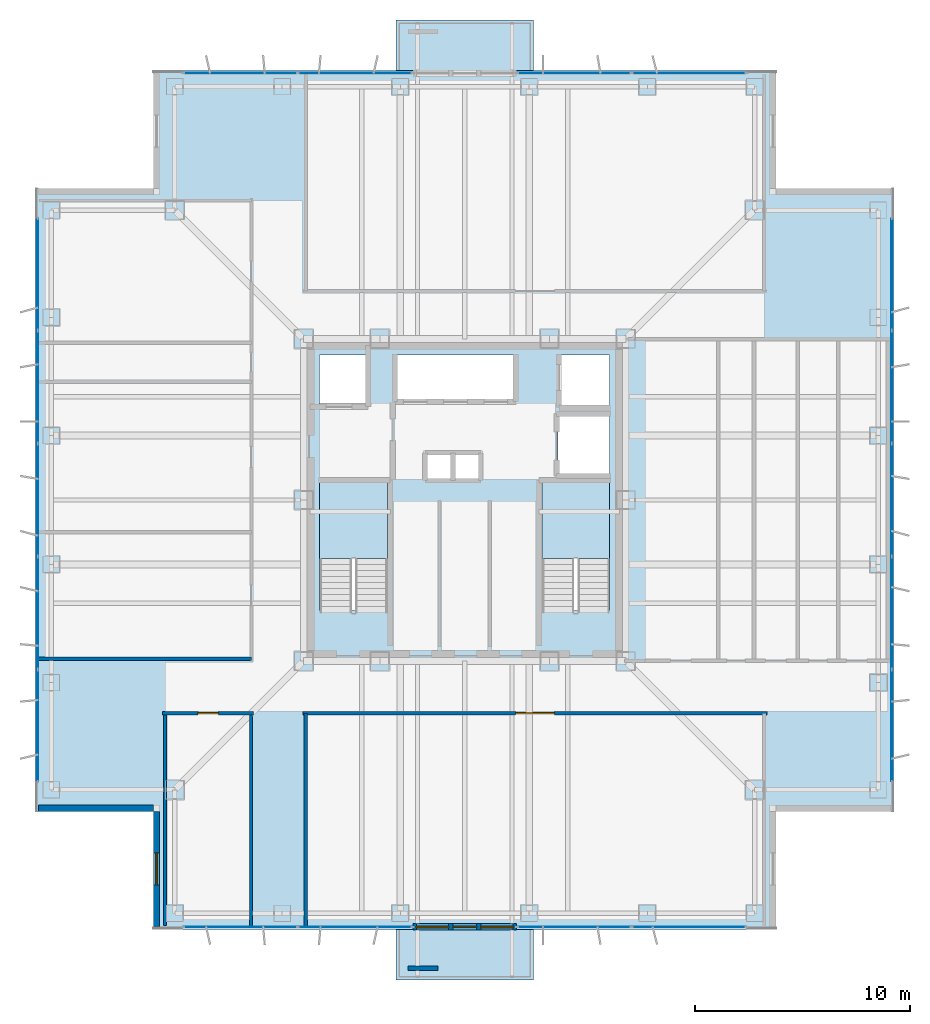
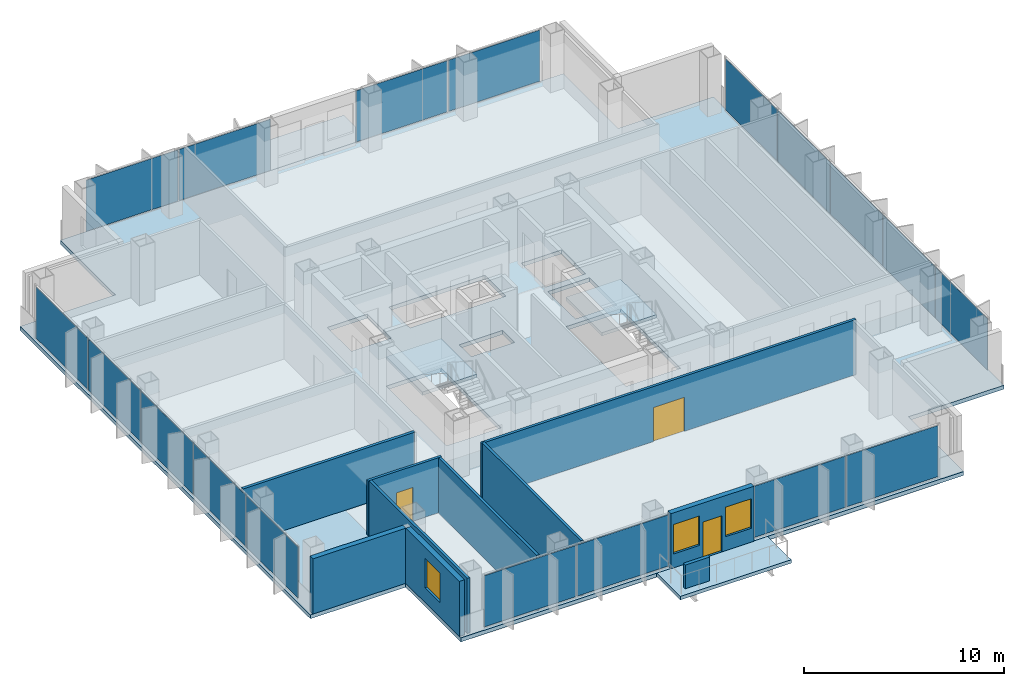
# One storey, part 8 of 13: 18 plates, 10 walls, 5 slabs, 3 doors, 3 windows, 6 openings, 8 elements without a shape of their own.
"""IFC4 building model written with IfcOpenShell, lengths in metres."""

from ifc_helpers import new_model, si_unit, direction, frame, frame_2d, origin, origin_2d, place, context, subcontext, project, spatial, polyline, rectangle, outline, extrude, material, layer, layer_set, type_object, element, fill, aggregate, save


model = new_model("IFC4")

# Units and contexts
model_context = context("Model", 3, precision=1e-05, world=origin(), true_north=direction((0.0, 1.0)))
body_context = subcontext(model_context, "Body", "Model", "MODEL_VIEW")
ifc_project = project(units=[si_unit("LENGTHUNIT", "METRE"), si_unit("AREAUNIT", "SQUARE_METRE"), si_unit("VOLUMEUNIT", "CUBIC_METRE"), si_unit("PLANEANGLEUNIT", "RADIAN"), si_unit("MASSUNIT", "GRAM", prefix="KILO")], contexts=[model_context])

# Site, building, storey
site_placement = place(None, origin())
site = spatial("IfcSite", under=ifc_project, at=site_placement, CompositionType="ELEMENT")
building_placement = place(site_placement, origin())
building = spatial("IfcBuilding", under=site, at=building_placement, Name="Trevonay Congress Spire", CompositionType="ELEMENT")
storey_placement = place(building_placement, frame((0.0, 0.0, 205.800048828125)))
storey = spatial("IfcBuildingStorey", under=building, at=storey_placement, Name="L53", CompositionType="ELEMENT", Elevation=205.800048828125)

# Curtain wall, plates
ifc_material_1 = material(Name="Pale Anodised Aluminium EN AW-6063-T6", Category="aluminium")
ifc_layer_1 = layer(ifc_material_1, 0.169921875, Name="Pale Anodised Aluminium EN AW-6063-T6")
ifc_layer_set_1 = layer_set([ifc_layer_1], Name="Pale Anodised Aluminium EN AW-6063-T6")
curtain_wall_type = type_object("IfcCurtainWallType", Name="CW-SYS04-CORP-PALE-METAL", PredefinedType="NOTDEFINED", material=ifc_layer_set_1)
curtain_wall_1_placement = place(storey_placement, origin())
curtain_wall_1 = element("IfcCurtainWall", 1, at=curtain_wall_1_placement, inside=storey, type_object=curtain_wall_type, Name="L53 SA unitised curtain wall", PredefinedType="NOTDEFINED")
ifc_material_2 = material(Name="Insulated Low-E Vision Glass IGU", Category="glass")
ifc_layer_2 = layer(ifc_material_2, 0.035888671875, Name="Insulated Low-E Vision Glass IGU")
ifc_layer_set_2 = layer_set([ifc_layer_2], Name="Insulated Low-E Vision Glass IGU")
plate_type = type_object("IfcPlateType", Name="CW-PANEL-IGU36-SILVER", PredefinedType="CURTAIN_PANEL", material=ifc_layer_set_2)
plate_1_placement = place(storey_placement, frame((-10.447509765625, -19.8798828125, 0.119873046875), z_axis=(0.0, 0.0, 1.0), x_axis=(1.0, 0.0, 0.0)))
plate_1 = element("IfcPlate", 2, at=plate_1_placement, type_object=plate_type, Name="CW04 panel 1.1", PredefinedType="CURTAIN_PANEL", context=body_context, shape_type="SweptSolid", body=[
    extrude(rectangle(XDim=5.284912109375, YDim=0.035888671875, at=origin_2d()), origin(), (0.0, 0.0, 1.0), 3.1201171875),
])
plate_2_placement = place(storey_placement, frame((-5.1025390625, -19.8798828125, 0.119873046875), z_axis=(0.0, 0.0, 1.0), x_axis=(1.0, 0.0, 0.0)))
plate_2 = element("IfcPlate", 3, at=plate_2_placement, type_object=plate_type, Name="CW04 panel 2.1", PredefinedType="CURTAIN_PANEL", context=body_context, shape_type="SweptSolid", body=[
    extrude(rectangle(XDim=5.284912109375, YDim=0.035888671875, at=origin_2d()), origin(), (0.0, 0.0, 1.0), 3.1201171875),
])
aggregate(curtain_wall_1, [plate_1, plate_2])

curtain_wall_2_placement = place(storey_placement, origin())
curtain_wall_2 = element("IfcCurtainWall", 4, at=curtain_wall_2_placement, inside=storey, type_object=curtain_wall_type, Name="L53 SB unitised curtain wall", PredefinedType="NOTDEFINED")
plate_3_placement = place(storey_placement, frame((5.1025390625, -19.8798828125, 0.119873046875), z_axis=(0.0, 0.0, 1.0), x_axis=(1.0, 0.0, 0.0)))
plate_3 = element("IfcPlate", 5, at=plate_3_placement, type_object=plate_type, Name="CW04 panel 1.1", PredefinedType="CURTAIN_PANEL", context=body_context, shape_type="SweptSolid", body=[
    extrude(rectangle(XDim=5.284912109375, YDim=0.035888671875, at=origin_2d()), origin(), (0.0, 0.0, 1.0), 3.1201171875),
])
plate_4_placement = place(storey_placement, frame((10.447509765625, -19.8798828125, 0.119873046875), z_axis=(0.0, 0.0, 1.0), x_axis=(1.0, 0.0, 0.0)))
plate_4 = element("IfcPlate", 6, at=plate_4_placement, type_object=plate_type, Name="CW04 panel 2.1", PredefinedType="CURTAIN_PANEL", context=body_context, shape_type="SweptSolid", body=[
    extrude(rectangle(XDim=5.284912109375, YDim=0.035888671875, at=origin_2d()), origin(), (0.0, 0.0, 1.0), 3.1201171875),
])
aggregate(curtain_wall_2, [plate_3, plate_4])

curtain_wall_3_placement = place(storey_placement, origin())
curtain_wall_3 = element("IfcCurtainWall", 7, at=curtain_wall_3_placement, inside=storey, type_object=curtain_wall_type, Name="L53 NA unitised curtain wall", PredefinedType="NOTDEFINED")
plate_5_placement = place(storey_placement, frame((-10.447509765625, 19.8798828125, 0.119873046875), z_axis=(0.0, 0.0, 1.0), x_axis=(1.0, 0.0, 0.0)))
plate_5 = element("IfcPlate", 8, at=plate_5_placement, type_object=plate_type, Name="CW04 panel 1.1", PredefinedType="CURTAIN_PANEL", context=body_context, shape_type="SweptSolid", body=[
    extrude(rectangle(XDim=5.284912109375, YDim=0.035888671875, at=origin_2d()), origin(), (0.0, 0.0, 1.0), 3.1201171875),
])
plate_6_placement = place(storey_placement, frame((-5.1025390625, 19.8798828125, 0.119873046875), z_axis=(0.0, 0.0, 1.0), x_axis=(1.0, 0.0, 0.0)))
plate_6 = element("IfcPlate", 9, at=plate_6_placement, type_object=plate_type, Name="CW04 panel 2.1", PredefinedType="CURTAIN_PANEL", context=body_context, shape_type="SweptSolid", body=[
    extrude(rectangle(XDim=5.284912109375, YDim=0.035888671875, at=origin_2d()), origin(), (0.0, 0.0, 1.0), 3.1201171875),
])
aggregate(curtain_wall_3, [plate_5, plate_6])

curtain_wall_4_placement = place(storey_placement, origin())
curtain_wall_4 = element("IfcCurtainWall", 10, at=curtain_wall_4_placement, inside=storey, type_object=curtain_wall_type, Name="L53 NB unitised curtain wall", PredefinedType="NOTDEFINED")
plate_7_placement = place(storey_placement, frame((5.1025390625, 19.8798828125, 0.119873046875), z_axis=(0.0, 0.0, 1.0), x_axis=(1.0, 0.0, 0.0)))
plate_7 = element("IfcPlate", 11, at=plate_7_placement, type_object=plate_type, Name="CW04 panel 1.1", PredefinedType="CURTAIN_PANEL", context=body_context, shape_type="SweptSolid", body=[
    extrude(rectangle(XDim=5.284912109375, YDim=0.035888671875, at=origin_2d()), origin(), (0.0, 0.0, 1.0), 3.1201171875),
])
plate_8_placement = place(storey_placement, frame((10.447509765625, 19.8798828125, 0.119873046875), z_axis=(0.0, 0.0, 1.0), x_axis=(1.0, 0.0, 0.0)))
plate_8 = element("IfcPlate", 12, at=plate_8_placement, type_object=plate_type, Name="CW04 panel 2.1", PredefinedType="CURTAIN_PANEL", context=body_context, shape_type="SweptSolid", body=[
    extrude(rectangle(XDim=5.284912109375, YDim=0.035888671875, at=origin_2d()), origin(), (0.0, 0.0, 1.0), 3.1201171875),
])
aggregate(curtain_wall_4, [plate_7, plate_8])

curtain_wall_5_placement = place(storey_placement, origin())
curtain_wall_5 = element("IfcCurtainWall", 13, at=curtain_wall_5_placement, inside=storey, type_object=curtain_wall_type, Name="L53 W unitised curtain wall", PredefinedType="NOTDEFINED")
plate_9_placement = place(storey_placement, frame((-19.8798828125, -10.5048828125, 0.119873046875), z_axis=(0.0, 0.0, 1.0), x_axis=(0.0, 1.0, 0.0)))
plate_9 = element("IfcPlate", 14, at=plate_9_placement, type_object=plate_type, Name="CW04 panel 1.1", PredefinedType="CURTAIN_PANEL", context=body_context, shape_type="SweptSolid", body=[
    extrude(rectangle(XDim=5.169921875, YDim=0.035888671875, at=origin_2d()), origin(), (0.0, 0.0, 1.0), 3.1201171875),
])
plate_10_placement = place(storey_placement, frame((-19.8798828125, -5.260009765625, 0.119873046875), z_axis=(0.0, 0.0, 1.0), x_axis=(0.0, 1.0, 0.0)))
plate_10 = element("IfcPlate", 15, at=plate_10_placement, type_object=plate_type, Name="CW04 panel 2.1", PredefinedType="CURTAIN_PANEL", context=body_context, shape_type="SweptSolid", body=[
    extrude(rectangle(XDim=5.199951171875, YDim=0.035888671875, at=origin_2d()), origin(), (0.0, 0.0, 1.0), 3.1201171875),
])
plate_11_placement = place(storey_placement, frame((-19.8798828125, 0.0, 0.119873046875), z_axis=(0.0, 0.0, 1.0), x_axis=(0.0, 1.0, 0.0)))
plate_11 = element("IfcPlate", 16, at=plate_11_placement, type_object=plate_type, Name="CW04 panel 3.1", PredefinedType="CURTAIN_PANEL", context=body_context, shape_type="SweptSolid", body=[
    extrude(rectangle(XDim=5.199951171875, YDim=0.035888671875, at=origin_2d()), origin(), (0.0, 0.0, 1.0), 3.1201171875),
])
plate_12_placement = place(storey_placement, frame((-19.8798828125, 5.260009765625, 0.119873046875), z_axis=(0.0, 0.0, 1.0), x_axis=(0.0, 1.0, 0.0)))
plate_12 = element("IfcPlate", 17, at=plate_12_placement, type_object=plate_type, Name="CW04 panel 4.1", PredefinedType="CURTAIN_PANEL", context=body_context, shape_type="SweptSolid", body=[
    extrude(rectangle(XDim=5.199951171875, YDim=0.035888671875, at=origin_2d()), origin(), (0.0, 0.0, 1.0), 3.1201171875),
])
plate_13_placement = place(storey_placement, frame((-19.8798828125, 10.5048828125, 0.119873046875), z_axis=(0.0, 0.0, 1.0), x_axis=(0.0, 1.0, 0.0)))
plate_13 = element("IfcPlate", 18, at=plate_13_placement, type_object=plate_type, Name="CW04 panel 5.1", PredefinedType="CURTAIN_PANEL", context=body_context, shape_type="SweptSolid", body=[
    extrude(rectangle(XDim=5.169921875, YDim=0.035888671875, at=origin_2d()), origin(), (0.0, 0.0, 1.0), 3.1201171875),
])
aggregate(curtain_wall_5, [plate_9, plate_10, plate_11, plate_12, plate_13])

curtain_wall_6_placement = place(storey_placement, origin())
curtain_wall_6 = element("IfcCurtainWall", 19, at=curtain_wall_6_placement, inside=storey, type_object=curtain_wall_type, Name="L53 E unitised curtain wall", PredefinedType="NOTDEFINED")
plate_14_placement = place(storey_placement, frame((19.8798828125, -10.5048828125, 0.119873046875), z_axis=(0.0, 0.0, 1.0), x_axis=(0.0, 1.0, 0.0)))
plate_14 = element("IfcPlate", 20, at=plate_14_placement, type_object=plate_type, Name="CW04 panel 1.1", PredefinedType="CURTAIN_PANEL", context=body_context, shape_type="SweptSolid", body=[
    extrude(rectangle(XDim=5.169921875, YDim=0.035888671875, at=origin_2d()), origin(), (0.0, 0.0, 1.0), 3.1201171875),
])
plate_15_placement = place(storey_placement, frame((19.8798828125, -5.260009765625, 0.119873046875), z_axis=(0.0, 0.0, 1.0), x_axis=(0.0, 1.0, 0.0)))
plate_15 = element("IfcPlate", 21, at=plate_15_placement, type_object=plate_type, Name="CW04 panel 2.1", PredefinedType="CURTAIN_PANEL", context=body_context, shape_type="SweptSolid", body=[
    extrude(rectangle(XDim=5.199951171875, YDim=0.035888671875, at=origin_2d()), origin(), (0.0, 0.0, 1.0), 3.1201171875),
])
plate_16_placement = place(storey_placement, frame((19.8798828125, 0.0, 0.119873046875), z_axis=(0.0, 0.0, 1.0), x_axis=(0.0, 1.0, 0.0)))
plate_16 = element("IfcPlate", 22, at=plate_16_placement, type_object=plate_type, Name="CW04 panel 3.1", PredefinedType="CURTAIN_PANEL", context=body_context, shape_type="SweptSolid", body=[
    extrude(rectangle(XDim=5.199951171875, YDim=0.035888671875, at=origin_2d()), origin(), (0.0, 0.0, 1.0), 3.1201171875),
])
plate_17_placement = place(storey_placement, frame((19.8798828125, 5.260009765625, 0.119873046875), z_axis=(0.0, 0.0, 1.0), x_axis=(0.0, 1.0, 0.0)))
plate_17 = element("IfcPlate", 23, at=plate_17_placement, type_object=plate_type, Name="CW04 panel 4.1", PredefinedType="CURTAIN_PANEL", context=body_context, shape_type="SweptSolid", body=[
    extrude(rectangle(XDim=5.199951171875, YDim=0.035888671875, at=origin_2d()), origin(), (0.0, 0.0, 1.0), 3.1201171875),
])
plate_18_placement = place(storey_placement, frame((19.8798828125, 10.5048828125, 0.119873046875), z_axis=(0.0, 0.0, 1.0), x_axis=(0.0, 1.0, 0.0)))
plate_18 = element("IfcPlate", 24, at=plate_18_placement, type_object=plate_type, Name="CW04 panel 5.1", PredefinedType="CURTAIN_PANEL", context=body_context, shape_type="SweptSolid", body=[
    extrude(rectangle(XDim=5.169921875, YDim=0.035888671875, at=origin_2d()), origin(), (0.0, 0.0, 1.0), 3.1201171875),
])
aggregate(curtain_wall_6, [plate_14, plate_15, plate_16, plate_17, plate_18])

# Stair, slab
ifc_material_3 = material(Name="Concrete C40/50", Category="concrete")
stair_type_1 = type_object("IfcStairType", Name="STR-ST-1", PredefinedType="HALF_TURN_STAIR", material=ifc_material_3)
stair_1_placement = place(storey_placement, origin())
stair_1 = element("IfcStair", 25, at=stair_1_placement, inside=storey, type_object=stair_type_1, Name="L53 Protected Exit Stair ST-1", PredefinedType="HALF_TURN_STAIR")
ifc_layer_3 = layer(ifc_material_3, 0.199951171875, Name="Concrete C40/50")
ifc_layer_set_3 = layer_set([ifc_layer_3], Name="Concrete C40/50")
slab_type_1 = type_object("IfcSlabType", Name="SLB-STAIR-LAND-200", PredefinedType="LANDING", material=ifc_layer_set_3)
slab_1_placement = place(storey_placement, frame((0.0, 0.0, 1.599853515625)))
slab_1 = element("IfcSlab", 26, at=slab_1_placement, type_object=slab_type_1, Name="ST-1 landing 1", PredefinedType="LANDING", context=body_context, shape_type="SweptSolid", body=[
    extrude(outline(polyline([(-3.60009765625, -2.72998046875), (-3.60009765625, 0.85009765625), (-6.75, 0.85009765625), (-6.75, -2.72998046875), (-3.60009765625, -2.72998046875)])), origin(), (0.0, 0.0, 1.0), 0.2001953125),
])
aggregate(stair_1, [slab_1])

stair_type_2 = type_object("IfcStairType", Name="STR-ST-2", PredefinedType="HALF_TURN_STAIR", material=ifc_material_3)
stair_2_placement = place(storey_placement, origin())
stair_2 = element("IfcStair", 27, at=stair_2_placement, inside=storey, type_object=stair_type_2, Name="L53 Protected Exit Stair ST-2", PredefinedType="HALF_TURN_STAIR")
slab_2_placement = place(storey_placement, frame((0.0, 0.0, 1.599853515625)))
slab_2 = element("IfcSlab", 28, at=slab_2_placement, type_object=slab_type_1, Name="ST-2 landing 1", PredefinedType="LANDING", context=body_context, shape_type="SweptSolid", body=[
    extrude(outline(polyline([(6.75, -2.72998046875), (6.75, 0.85009765625), (3.60009765625, 0.85009765625), (3.60009765625, -2.72998046875), (6.75, -2.72998046875)])), origin(), (0.0, 0.0, 1.0), 0.2001953125),
])
aggregate(stair_2, [slab_2])

# Slabs
ifc_layer_4 = layer(ifc_material_3, 0.239990234375, Name="Concrete C40/50")
ifc_layer_set_4 = layer_set([ifc_layer_4], Name="Concrete C40/50")
slab_type_2 = type_object("IfcSlabType", Name="SLB-TOW2-240", PredefinedType="FLOOR", material=ifc_layer_set_4)
slab_3_placement = place(storey_placement, frame((0.0, 0.0, -0.239990234375)))
element("IfcSlab", 29, at=slab_3_placement, inside=storey, type_object=slab_type_2, Name="L53 structural floor slab", PredefinedType="FLOOR", context=body_context, shape_type="SweptSolid", body=[
    extrude(outline(polyline([(-14.5, -20.0), (14.5, -20.0), (14.5, -14.5), (20.0, -14.5), (20.0, 14.5), (14.5, 14.5), (14.5, 20.0), (-14.5, 20.0), (-14.5, 14.5), (-20.0, 14.5), (-20.0, -14.5), (-14.5, -14.5), (-14.5, -20.0)]), holes=[polyline([(-3.60009765625, -5.14990234375), (-3.60009765625, 0.85009765625), (-6.75, 0.85009765625), (-6.75, -5.14990234375), (-3.60009765625, -5.14990234375)]), polyline([(6.75, -5.14990234375), (6.75, 0.85009765625), (3.60009765625, 0.85009765625), (3.60009765625, -5.14990234375), (6.75, -5.14990234375)]), polyline([(-3.199951171875, 4.64990234375), (2.340087890625, 4.64990234375), (2.340087890625, 6.75), (-3.199951171875, 6.75), (-3.199951171875, 4.64990234375)]), polyline([(-6.75, 4.35009765625), (-4.449951171875, 4.35009765625), (-4.449951171875, 6.75), (-6.75, 6.75), (-6.75, 4.35009765625)]), polyline([(4.449951171875, 4.35009765625), (6.75, 4.35009765625), (6.75, 6.75), (4.449951171875, 6.75), (4.449951171875, 4.35009765625)]), polyline([(4.35009765625, 1.199951171875), (6.75, 1.199951171875), (6.75, 3.949951171875), (4.35009765625, 3.949951171875), (4.35009765625, 1.199951171875)]), polyline([(-1.800048828125, 0.949951171875), (0.699951171875, 0.949951171875), (0.699951171875, 2.14990234375), (-1.800048828125, 2.14990234375), (-1.800048828125, 0.949951171875)])]), origin(), (0.0, 0.0, 1.0), 0.239990234375),
])
ifc_layer_5 = layer(ifc_material_3, 0.2099609375, Name="Concrete C40/50")
ifc_layer_set_5 = layer_set([ifc_layer_5], Name="Concrete C40/50")
slab_type_3 = type_object("IfcSlabType", Name="SLB-TREEBAL-210", PredefinedType="FLOOR", material=ifc_layer_set_5)
slab_4_placement = place(storey_placement, frame((0.0, 0.0, -0.2099609375)))
element("IfcSlab", 30, at=slab_4_placement, inside=storey, type_object=slab_type_3, Name="L53 cantilevered tree-planter balcony pod S", PredefinedType="FLOOR", context=body_context, shape_type="SweptSolid", body=[
    extrude(outline(polyline([(-3.199951171875, -22.35009765625), (3.199951171875, -22.35009765625), (3.199951171875, -20.0), (-3.199951171875, -20.0), (-3.199951171875, -22.35009765625)])), origin(), (0.0, 0.0, 1.0), 0.2099609375),
])
slab_5_placement = place(storey_placement, frame((0.0, 0.0, -0.2099609375)))
element("IfcSlab", 31, at=slab_5_placement, inside=storey, type_object=slab_type_3, Name="L53 cantilevered tree-planter balcony pod N", PredefinedType="FLOOR", context=body_context, shape_type="SweptSolid", body=[
    extrude(outline(polyline([(-3.199951171875, 20.0), (3.199951171875, 20.0), (3.199951171875, 22.35009765625), (-3.199951171875, 22.35009765625), (-3.199951171875, 20.0)])), origin(), (0.0, 0.0, 1.0), 0.2099609375),
])

# Wall, opening, door
ifc_layer_6 = layer(ifc_material_3, 0.14990234375, Name="Concrete C40/50")
ifc_layer_set_6 = layer_set([ifc_layer_6], Name="Concrete C40/50")
wall_type_1 = type_object("IfcWallType", Name="WAL-CORR-150", PredefinedType="PARTITIONING", material=ifc_layer_set_6)
wall_1_placement = place(storey_placement, frame((-14.070068359375, -9.929931640625, 0.0), z_axis=(0.0, 0.0, 1.0), x_axis=(1.0, 0.0, 0.0)))
wall_1 = element("IfcWall", 32, at=wall_1_placement, inside=storey, type_object=wall_type_1, Name="L53 interior wall WP-L53SW-COR", PredefinedType="PARTITIONING", context=body_context, shape_type="SweptSolid", body=[
    extrude(rectangle(XDim=4.239990234375, YDim=0.14990234375, at=frame_2d((2.1201171875, 0.0))), origin(), (0.0, 0.0, 1.0), 3.35986328125),
])
opening_1_placement = place(wall_1_placement, frame((1.64501953125, 0.0, 0.0)))
opening_1 = element("IfcOpeningElement", 33, at=opening_1_placement, cuts=wall_1, Name="Opening D07", PredefinedType="OPENING", context=body_context, shape_type="SweptSolid", body=[
    extrude(rectangle(XDim=0.949951171875, YDim=2.06005859375, at=frame_2d((0.47509765625, 1.030029296875))), frame((0.0, 0.0849609375, 0.0), z_axis=(0.0, -1.0, 0.0), x_axis=(1.0, 0.0, 0.0)), (0.0, 0.0, 1.0), 0.169921875),
])
door_type_1 = type_object("IfcDoorType", Name="DOR-OFFICE-95", OperationType="NOTDEFINED", PredefinedType="DOOR", material=ifc_material_1)
door_1_placement = place(opening_1_placement, origin())
door_1 = element("IfcDoor", 34, at=door_1_placement, inside=storey, type_object=door_type_1, Name="L53 Quiet Meditation Lounge Door", OperationType="SINGLE_SWING_RIGHT", OverallHeight=2.06005859375, OverallWidth=0.949951171875, PredefinedType="DOOR", context=body_context, shape_type="SweptSolid", body=[
    extrude(rectangle(XDim=0.949951171875, YDim=2.06005859375, at=frame_2d((0.47509765625, 1.030029296875))), frame((0.0, 0.02490234375, 0.0), z_axis=(0.0, -1.0, 0.0), x_axis=(1.0, 0.0, 0.0)), (0.0, 0.0, 1.0), 0.050048828125),
])
fill(opening_1, door_1)

wall_2_placement = place(storey_placement, frame((-7.52001953125, -9.929931640625, 0.0), z_axis=(0.0, 0.0, 1.0), x_axis=(1.0, 0.0, 0.0)))
wall_2 = element("IfcWall", 35, at=wall_2_placement, inside=storey, type_object=wall_type_1, Name="L53 interior wall WP-L53SE-COR", PredefinedType="PARTITIONING", context=body_context, shape_type="SweptSolid", body=[
    extrude(rectangle(XDim=21.590087890625, YDim=0.14990234375, at=frame_2d((10.794921875, 0.0))), origin(), (0.0, 0.0, 1.0), 3.35986328125),
])
opening_2_placement = place(wall_2_placement, frame((9.89501953125, 0.0, 0.0)))
opening_2 = element("IfcOpeningElement", 36, at=opening_2_placement, cuts=wall_2, Name="Opening D09", PredefinedType="OPENING", context=body_context, shape_type="SweptSolid", body=[
    extrude(rectangle(XDim=1.800048828125, YDim=2.080078125, at=frame_2d((0.89990234375, 1.0400390625))), frame((0.0, 0.0849609375, 0.0), z_axis=(0.0, -1.0, 0.0), x_axis=(1.0, 0.0, 0.0)), (0.0, 0.0, 1.0), 0.169921875),
])
door_type_2 = type_object("IfcDoorType", Name="DOR-CONF-DBL", OperationType="DOUBLE_DOOR_SINGLE_SWING", PredefinedType="DOOR", material=ifc_material_1)
door_2_placement = place(opening_2_placement, origin())
door_2 = element("IfcDoor", 37, at=door_2_placement, inside=storey, type_object=door_type_2, Name="L53 Members Maritime Reference Library Lounge Door", OperationType="DOUBLE_DOOR_SINGLE_SWING", OverallHeight=2.080078125, OverallWidth=1.800048828125, PredefinedType="DOOR", context=body_context, shape_type="SweptSolid", body=[
    extrude(rectangle(XDim=1.800048828125, YDim=2.080078125, at=frame_2d((0.89990234375, 1.0400390625))), frame((0.0, 0.02490234375, 0.0), z_axis=(0.0, -1.0, 0.0), x_axis=(1.0, 0.0, 0.0)), (0.0, 0.0, 1.0), 0.050048828125),
])
fill(opening_2, door_2)

# Wall, openings, door, windows
ifc_material_4 = material(Name="Precast concrete C40/50", Category="concrete")
ifc_layer_7 = layer(ifc_material_4, 0.300048828125, Name="Precast concrete C40/50")
ifc_layer_set_7 = layer_set([ifc_layer_7], Name="Precast concrete C40/50")
wall_type_2 = type_object("IfcWallType", Name="WAL-EXT-PRECAST-300", PredefinedType="SOLIDWALL", material=ifc_layer_set_7)
wall_3_placement = place(storey_placement, frame((-2.39990234375, -19.8798828125, 0.0), z_axis=(0.0, 0.0, 1.0), x_axis=(1.0, 0.0, 0.0)))
wall_3 = element("IfcWall", 38, at=wall_3_placement, inside=storey, type_object=wall_type_2, Name="L53 S glazed balcony portal exterior wall", PredefinedType="SOLIDWALL", context=body_context, shape_type="SweptSolid", body=[
    extrude(rectangle(XDim=4.7998046875, YDim=0.300048828125, at=frame_2d((2.39990234375, 0.0))), origin(), (0.0, 0.0, 1.0), 3.35986328125),
])
opening_3_placement = place(wall_3_placement, frame((1.85009765625, 0.0, 0.0)))
opening_3 = element("IfcOpeningElement", 39, at=opening_3_placement, cuts=wall_3, Name="Opening D03", PredefinedType="OPENING", context=body_context, shape_type="SweptSolid", body=[
    extrude(rectangle(XDim=1.10009765625, YDim=2.199951171875, at=frame_2d((0.550048828125, 1.10009765625))), frame((0.0, 0.16015625, 0.0), z_axis=(0.0, -1.0, 0.0), x_axis=(1.0, 0.0, 0.0)), (0.0, 0.0, 1.0), 0.320068359375),
])
opening_4_placement = place(wall_3_placement, frame((0.14990234375, 0.0, 0.85009765625)))
opening_4 = element("IfcOpeningElement", 40, at=opening_4_placement, cuts=wall_3, Name="Opening WN03", PredefinedType="OPENING", context=body_context, shape_type="SweptSolid", body=[
    extrude(rectangle(XDim=1.5, YDim=1.800048828125, at=frame_2d((0.75, 0.89990234375))), frame((0.0, 0.16015625, 0.0), z_axis=(0.0, -1.0, 0.0), x_axis=(1.0, 0.0, 0.0)), (0.0, 0.0, 1.0), 0.320068359375),
])
opening_5_placement = place(wall_3_placement, frame((3.14990234375, 0.0, 0.85009765625)))
opening_5 = element("IfcOpeningElement", 41, at=opening_5_placement, cuts=wall_3, Name="Opening WN03", PredefinedType="OPENING", context=body_context, shape_type="SweptSolid", body=[
    extrude(rectangle(XDim=1.5, YDim=1.800048828125, at=frame_2d((0.75, 0.89990234375))), frame((0.0, 0.16015625, 0.0), z_axis=(0.0, -1.0, 0.0), x_axis=(1.0, 0.0, 0.0)), (0.0, 0.0, 1.0), 0.320068359375),
])
door_type_3 = type_object("IfcDoorType", Name="DOR-EXT-BAL-110", OperationType="NOTDEFINED", PredefinedType="DOOR", material=ifc_material_1)
door_3_placement = place(opening_3_placement, origin())
door_3 = element("IfcDoor", 42, at=door_3_placement, inside=storey, type_object=door_type_3, Name="L53 S glazed outdoor terrace and balcony door", OperationType="SINGLE_SWING_LEFT", OverallHeight=2.199951171875, OverallWidth=1.10009765625, PredefinedType="DOOR", context=body_context, shape_type="SweptSolid", body=[
    extrude(rectangle(XDim=1.10009765625, YDim=2.199951171875, at=frame_2d((0.550048828125, 1.10009765625))), frame((0.0, 0.02490234375, 0.0), z_axis=(0.0, -1.0, 0.0), x_axis=(1.0, 0.0, 0.0)), (0.0, 0.0, 1.0), 0.050048828125),
])
fill(opening_3, door_3)
window_type = type_object("IfcWindowType", Name="WIN-NOTCH-150X180", PartitioningType="SINGLE_PANEL", PredefinedType="WINDOW", material=ifc_material_2)
window_1_placement = place(opening_4_placement, origin())
window_1 = element("IfcWindow", 43, at=window_1_placement, inside=storey, type_object=window_type, Name="L53 S balcony sidelight window L", OverallHeight=1.800048828125, OverallWidth=1.5, PartitioningType="SINGLE_PANEL", PredefinedType="WINDOW", context=body_context, shape_type="SweptSolid", body=[
    extrude(rectangle(XDim=1.5, YDim=1.800048828125, at=frame_2d((0.75, 0.89990234375))), frame((0.0, 0.030029296875, 0.0), z_axis=(0.0, -1.0, 0.0), x_axis=(1.0, 0.0, 0.0)), (0.0, 0.0, 1.0), 0.06005859375),
])
fill(opening_4, window_1)
window_2_placement = place(opening_5_placement, origin())
window_2 = element("IfcWindow", 44, at=window_2_placement, inside=storey, type_object=window_type, Name="L53 S balcony sidelight window R", OverallHeight=1.800048828125, OverallWidth=1.5, PartitioningType="SINGLE_PANEL", PredefinedType="WINDOW", context=body_context, shape_type="SweptSolid", body=[
    extrude(rectangle(XDim=1.5, YDim=1.800048828125, at=frame_2d((0.75, 0.89990234375))), frame((0.0, 0.030029296875, 0.0), z_axis=(0.0, -1.0, 0.0), x_axis=(1.0, 0.0, 0.0)), (0.0, 0.0, 1.0), 0.06005859375),
])
fill(opening_5, window_2)

# Wall, opening, window
wall_4_placement = place(storey_placement, frame((-14.35009765625, -19.85009765625, 0.0), z_axis=(0.0, 0.0, 1.0), x_axis=(0.0, 1.0, 0.0)))
wall_4 = element("IfcWall", 45, at=wall_4_placement, inside=storey, type_object=wall_type_2, Name="L53 SW re-entrant notch exterior wall 1", PredefinedType="SOLIDWALL", context=body_context, shape_type="SweptSolid", body=[
    extrude(rectangle(XDim=5.35009765625, YDim=0.300048828125, at=frame_2d((2.675048828125, 0.0))), origin(), (0.0, 0.0, 1.0), 3.35986328125),
])
opening_6_placement = place(wall_4_placement, frame((1.925048828125, 0.0, 0.89990234375)))
opening_6 = element("IfcOpeningElement", 46, at=opening_6_placement, cuts=wall_4, Name="Opening WN03", PredefinedType="OPENING", context=body_context, shape_type="SweptSolid", body=[
    extrude(rectangle(XDim=1.5, YDim=1.800048828125, at=frame_2d((0.75, 0.89990234375))), frame((0.0, 0.16015625, 0.0), z_axis=(0.0, -1.0, 0.0), x_axis=(1.0, 0.0, 0.0)), (0.0, 0.0, 1.0), 0.320068359375),
])
window_3_placement = place(opening_6_placement, origin())
window_3 = element("IfcWindow", 47, at=window_3_placement, inside=storey, type_object=window_type, Name="L53 SW corner notch window", OverallHeight=1.800048828125, OverallWidth=1.5, PartitioningType="SINGLE_PANEL", PredefinedType="WINDOW", context=body_context, shape_type="SweptSolid", body=[
    extrude(rectangle(XDim=1.5, YDim=1.800048828125, at=frame_2d((0.75, 0.89990234375))), frame((0.0, 0.030029296875, 0.0), z_axis=(0.0, -1.0, 0.0), x_axis=(1.0, 0.0, 0.0)), (0.0, 0.0, 1.0), 0.06005859375),
])
fill(opening_6, window_3)

# Walls
wall_5_placement = place(storey_placement, frame((-19.85009765625, -14.35009765625, 0.0), z_axis=(0.0, 0.0, 1.0), x_axis=(1.0, 0.0, 0.0)))
element("IfcWall", 48, at=wall_5_placement, inside=storey, type_object=wall_type_2, Name="L53 SW re-entrant notch exterior wall 2", PredefinedType="SOLIDWALL", context=body_context, shape_type="SweptSolid", body=[
    extrude(rectangle(XDim=5.35009765625, YDim=0.300048828125, at=frame_2d((2.675048828125, 0.0))), origin(), (0.0, 0.0, 1.0), 3.35986328125),
])
ifc_layer_8 = layer(ifc_material_3, 0.14990234375, Name="Concrete C40/50")
ifc_layer_set_8 = layer_set([ifc_layer_8], Name="Concrete C40/50")
wall_type_3 = type_object("IfcWallType", Name="WAL-PART-150", PredefinedType="PARTITIONING", material=ifc_layer_set_8)
for number, where, z_axis, x_axis, name in (
    (49, (-13.949951171875, -19.820068359375, 0.0), (0.0, 0.0, 1.0), (0.0, 1.0, 0.0), "L53 interior wall WP-L53SW-DIV1"),
    (50, (-9.949951171875, -19.820068359375, 0.0), (0.0, 0.0, 1.0), (0.0, 1.0, 0.0), "L53 interior wall WP-L53SW-DIV2"),
    (51, (-7.39990234375, -19.820068359375, 0.0), (0.0, 0.0, 1.0), (0.0, 1.0, 0.0), "L53 interior wall WP-L53SE-DIV1"),
):
    element("IfcWall", number, at=place(storey_placement, frame(where, z_axis=z_axis, x_axis=x_axis)), inside=storey, type_object=wall_type_3, Name=name, PredefinedType="PARTITIONING", context=body_context, shape_type="SweptSolid", body=[
        extrude(rectangle(XDim=9.89013671875, YDim=0.14990234375, at=frame_2d((4.945068359375, 0.0))), origin(), (0.0, 0.0, 1.0), 3.35986328125),
    ])
ifc_layer_9 = layer(ifc_material_4, 0.199951171875, Name="Precast concrete C40/50")
ifc_layer_set_9 = layer_set([ifc_layer_9], Name="Precast concrete C40/50")
wall_type_4 = type_object("IfcWallType", Name="WAL-TREE-PLANTER-200", PredefinedType="PARAPET", material=ifc_layer_set_9)
wall_6_placement = place(storey_placement, frame((-2.64990234375, -21.800048828125, 0.0), z_axis=(0.0, 0.0, 1.0), x_axis=(1.0, 0.0, 0.0)))
element("IfcWall", 52, at=wall_6_placement, inside=storey, type_object=wall_type_4, Name="L53 S cantilevered balcony tree planter box", PredefinedType="PARAPET", context=body_context, shape_type="SweptSolid", body=[
    extrude(rectangle(XDim=1.39990234375, YDim=0.199951171875, at=frame_2d((0.699951171875, 0.0))), origin(), (0.0, 0.0, 1.0), 1.449951171875),
])
ifc_layer_10 = layer(ifc_material_3, 0.1650390625, Name="Concrete C40/50")
ifc_layer_set_10 = layer_set([ifc_layer_10], Name="Concrete C40/50")
wall_type_5 = type_object("IfcWallType", Name="WAL-WET-165", PredefinedType="PLUMBINGWALL", material=ifc_layer_set_10)
wall_7_placement = place(storey_placement, frame((-19.820068359375, -7.39990234375, 0.0), z_axis=(0.0, 0.0, 1.0), x_axis=(1.0, 0.0, 0.0)))
element("IfcWall", 53, at=wall_7_placement, inside=storey, type_object=wall_type_5, Name="L53 interior wall WP-L53NW-DIV1", PredefinedType="PLUMBINGWALL", context=body_context, shape_type="SweptSolid", body=[
    extrude(rectangle(XDim=9.89013671875, YDim=0.1650390625, at=frame_2d((4.945068359375, 0.0))), origin(), (0.0, 0.0, 1.0), 3.35986328125),
])

save(model, "model.ifc")
